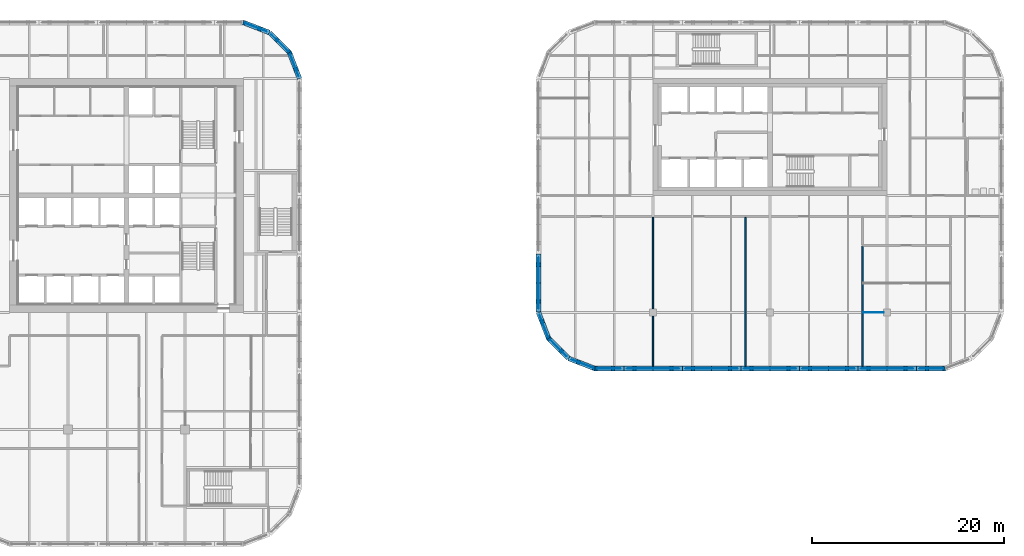
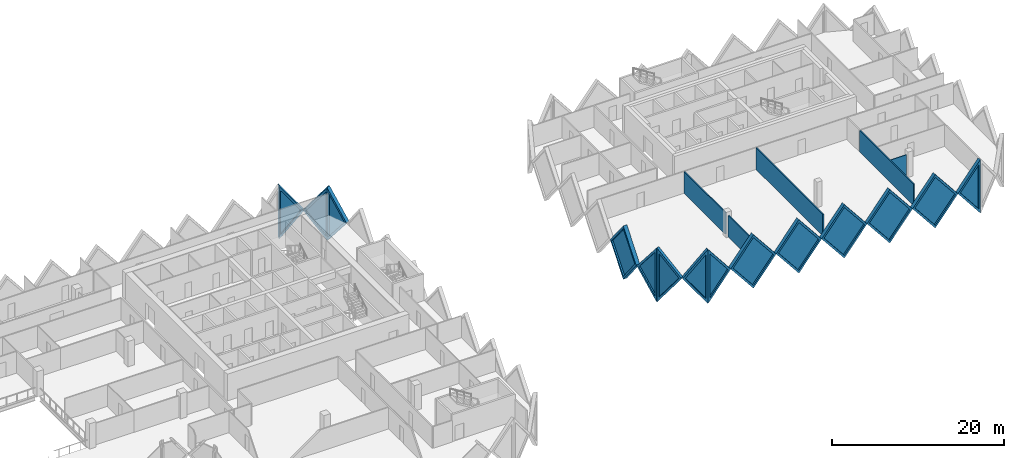
# One storey, part 11 of 19: 19 walls, 14 plates, 14 openings.
"""IFC4 building model written with IfcOpenShell, lengths in metres."""

import ifcopenshell
import ifcopenshell.guid

model = None  # the IFC model being written
_history = None  # IfcOwnerHistory: only IFC2X3 demands one
_inside = {}  # id of a spatial element -> (the spatial element, [elements in it])
_under = {}  # id of a project, library or spatial element -> (it, [spatial elements below it])
_declared = {}  # id of a project -> (the project, [libraries it declares])
_typed = {}  # id of a type object -> (the type object, [elements of that type])
_made_of = {}  # id of a material, layer set ... -> (it, [elements and type objects made of it])


def new_model(schema):
    """Start an empty IFC model of exactly this schema.

    Asked for "IFC4X3", IfcOpenShell would pick the latest addendum, in which some entities
    have other attributes; the version numbers below select the first issue.
    IFC2X3 requires an IfcOwnerHistory on every rooted entity: one is made here for all.
    """
    global model, _history
    if schema == "IFC4X3":
        model = ifcopenshell.file(schema_version=(4, 3, 0, 0))
    else:
        model = ifcopenshell.file(schema=schema)
    _inside.clear()
    _under.clear()
    _declared.clear()
    _typed.clear()
    _made_of.clear()
    _history = None
    if model.schema == "IFC2X3":
        org = make("IfcOrganization", Name="unknown")
        user = make(
            "IfcPersonAndOrganization",
            ThePerson=make("IfcPerson", FamilyName="unknown"),
            TheOrganization=org,
        )
        app = make(
            "IfcApplication",
            ApplicationDeveloper=org,
            Version="unknown",
            ApplicationFullName="unknown",
            ApplicationIdentifier="unknown",
        )
        _history = make(
            "IfcOwnerHistory",
            OwningUser=user,
            OwningApplication=app,
            ChangeAction="ADDED",
            CreationDate=0,
        )
    return model


def make(cls, **values):
    """One entity of the class cls with the attributes given. An attribute that is None is left unset."""
    return model.create_entity(
        cls, **{name: value for name, value in values.items() if value is not None}
    )


def rooted(cls, **values):
    """An entity with a GlobalId (a new one), such as an element, a storey or a relation."""
    return make(cls, GlobalId=ifcopenshell.guid.new(), OwnerHistory=_history, **values)


def si_unit(unit_type, name, prefix=None):
    """IfcSIUnit, for example si_unit("LENGTHUNIT", "METRE", prefix="MILLI")."""
    return make("IfcSIUnit", UnitType=unit_type, Prefix=prefix, Name=name)


def assignment(units):
    """IfcUnitAssignment: the units of a project."""
    return None if units is None else make("IfcUnitAssignment", Units=units)


def point(xyz):
    """IfcCartesianPoint."""
    return None if xyz is None else make("IfcCartesianPoint", Coordinates=xyz)


def direction(xyz):
    """IfcDirection."""
    return None if xyz is None else make("IfcDirection", DirectionRatios=xyz)


def frame(location, z_axis=None, x_axis=None):
    """IfcAxis2Placement3D, a coordinate frame: its origin and axes. An axis left out is left unset."""
    return make(
        "IfcAxis2Placement3D",
        Location=point(location),
        Axis=direction(z_axis),
        RefDirection=direction(x_axis),
    )


def frame_2d(location, x_axis=None):
    """IfcAxis2Placement2D, a coordinate frame in the plane: its origin and x axis."""
    return make(
        "IfcAxis2Placement2D", Location=point(location), RefDirection=direction(x_axis)
    )


def origin():
    """The frame at (0, 0, 0) with its axes left unset."""
    return frame((0.0, 0.0, 0.0))


def place(relative_to, where):
    """IfcLocalPlacement: puts the frame where relative to a parent placement (None: the world)."""
    return make(
        "IfcLocalPlacement", PlacementRelTo=relative_to, RelativePlacement=where
    )


def context(
    kind, dimensions, precision=None, world=None, true_north=None, identifier=None
):
    """IfcGeometricRepresentationContext, for example the 3D "Model" context."""
    return make(
        "IfcGeometricRepresentationContext",
        ContextIdentifier=identifier,
        ContextType=kind,
        CoordinateSpaceDimension=dimensions,
        Precision=precision,
        WorldCoordinateSystem=world,
        TrueNorth=true_north,
    )


def subcontext(parent, identifier, kind, view, scale=None):
    """IfcGeometricRepresentationSubContext, for example "Body" below "Model"."""
    return make(
        "IfcGeometricRepresentationSubContext",
        ContextIdentifier=identifier,
        ContextType=kind,
        ParentContext=parent,
        TargetScale=scale,
        TargetView=view,
    )


def project(units=None, contexts=None):
    """IfcProject with its units and contexts."""
    return rooted(
        "IfcProject",
        Name="project",
        RepresentationContexts=contexts,
        UnitsInContext=assignment(units),
    )


def spatial(cls, under=None, at=None, **own):
    """A site, building, storey or space (cls), placed at a placement, below another one or the project."""
    s = rooted(cls, ObjectPlacement=at, **own)
    if under is not None:
        _under.setdefault(under.id(), (under, []))[1].append(s)
    return s


def polyline(points):
    """IfcPolyline through the points."""
    return make("IfcPolyline", Points=[point(p) for p in points])


def profile(cls, at=None, kind="AREA", **sizes):
    """A parametric profile (cls). Its sizes go by their IFC names, for example OverallWidth=200.0."""
    return make(cls, ProfileType=kind, Position=at, **sizes)


def rectangle(**sizes):
    """IfcRectangleProfileDef."""
    return profile("IfcRectangleProfileDef", **sizes)


def outline(outer, holes=None, kind="AREA"):
    """IfcArbitraryClosedProfileDef: a profile drawn as a closed curve; with holes, ...WithVoids."""
    if holes is None:
        return make("IfcArbitraryClosedProfileDef", ProfileType=kind, OuterCurve=outer)
    return make(
        "IfcArbitraryProfileDefWithVoids",
        ProfileType=kind,
        OuterCurve=outer,
        InnerCurves=holes,
    )


def extrude(swept, where, along, depth):
    """IfcExtrudedAreaSolid: the profile swept, set in the frame where, extruded along a direction by depth."""
    return make(
        "IfcExtrudedAreaSolid",
        SweptArea=swept,
        Position=where,
        ExtrudedDirection=direction(along),
        Depth=depth,
    )


def faces_of(points, faces, orient=None, outer=None):
    """IfcFace entities. A face is a list of loops; a loop is a list of indices into points, from 0.

    orient and outer hold one flag for each loop. By default every Orientation is true, the
    first loop of a face is its IfcFaceOuterBound and the others are IfcFaceBound.
    """
    made = []
    for i, loops in enumerate(faces):
        bounds = []
        for j, loop in enumerate(loops):
            is_outer = j == 0 if outer is None else outer[i][j]
            bounds.append(
                make(
                    "IfcFaceOuterBound" if is_outer else "IfcFaceBound",
                    Bound=make("IfcPolyLoop", Polygon=[points[k] for k in loop]),
                    Orientation=True if orient is None else orient[i][j],
                )
            )
        made.append(make("IfcFace", Bounds=bounds))
    return made


def faceted_brep(points, faces, orient=None, outer=None, voids=None):
    """IfcFacetedBrep: a solid bounded by flat faces; with voids (closed shells), ...WithVoids."""
    shared = [point(p) for p in points]
    hull = make("IfcClosedShell", CfsFaces=faces_of(shared, faces, orient, outer))
    if voids is None:
        return make("IfcFacetedBrep", Outer=hull)
    return make(
        "IfcFacetedBrepWithVoids",
        Outer=hull,
        Voids=[
            make(cls, CfsFaces=faces_of(shared, fs, o, b)) for cls, fs, o, b in voids
        ],
    )


def shape(context_of_items, identifier, shape_type, items):
    """IfcShapeRepresentation: the items that make up one representation, for example the "Body"."""
    return make(
        "IfcShapeRepresentation",
        ContextOfItems=context_of_items,
        RepresentationIdentifier=identifier,
        RepresentationType=shape_type,
        Items=items,
    )


def source(mapping_origin, context_of_items, identifier, shape_type, items):
    """IfcRepresentationMap: a shape defined once, which mapped items show again and again."""
    return make(
        "IfcRepresentationMap",
        MappingOrigin=mapping_origin,
        MappedRepresentation=shape(context_of_items, identifier, shape_type, items),
    )


def transform(
    local_origin,
    x_axis=None,
    y_axis=None,
    z_axis=None,
    scale=None,
    scale2=None,
    scale3=None,
    uniform=True,
):
    """IfcCartesianTransformationOperator3D, or its non-uniform kind. x_axis, y_axis, z_axis: its Axis1, 2, 3."""
    if uniform:
        return make(
            "IfcCartesianTransformationOperator3D",
            Axis1=direction(x_axis),
            Axis2=direction(y_axis),
            LocalOrigin=point(local_origin),
            Scale=scale,
            Axis3=direction(z_axis),
        )
    return make(
        "IfcCartesianTransformationOperator3DnonUniform",
        Axis1=direction(x_axis),
        Axis2=direction(y_axis),
        LocalOrigin=point(local_origin),
        Scale=scale,
        Axis3=direction(z_axis),
        Scale2=scale2,
        Scale3=scale3,
    )


def mapped(mapping_source, mapping_target):
    """IfcMappedItem: shows the shape of a source again, moved by a transform."""
    return make(
        "IfcMappedItem", MappingSource=mapping_source, MappingTarget=mapping_target
    )


def material(Name=None, Category=None):
    """IfcMaterial."""
    return make("IfcMaterial", Name=Name, Category=Category)


def layer(
    of_material, thickness, ventilated=None, Name=None, Category=None, Priority=None
):
    """IfcMaterialLayer: one layer of a wall or slab, of a material (None: an air gap)."""
    return make(
        "IfcMaterialLayer",
        Material=of_material,
        LayerThickness=thickness,
        IsVentilated=ventilated,
        Name=Name,
        Category=Category,
        Priority=Priority,
    )


def layer_set(layers, Name=None):
    """IfcMaterialLayerSet."""
    return make("IfcMaterialLayerSet", MaterialLayers=layers, LayerSetName=Name)


def made_of(thing, what):
    """Note that an element or type object is made of a material, layer set ...; save() writes the relation."""
    if what is not None:
        _made_of.setdefault(what.id(), (what, []))[1].append(thing)
    return thing


def type_object(cls, material=None, **own):
    """A type object (cls), such as IfcWallType, which elements share."""
    return made_of(rooted(cls, **own), material)


def element(
    cls,
    number,
    at=None,
    inside=None,
    cuts=None,
    type_object=None,
    material=None,
    context=None,
    identifier="Body",
    shape_type=None,
    held_by="IfcProductDefinitionShape",
    body=None,
    shapes=None,
    **own,
):
    """One element of the class cls, such as IfcWall. Its Tag is "e" and its number.

    at: its placement. inside: the storey or other place that contains it. cuts: it is an
    opening in that element (IfcRelVoidsElement). A single representation is given by context,
    identifier, shape_type and body (its items); several are given by shapes. held_by: the class
    of the entity that holds the representations. save() writes the other relations.
    """
    e = rooted(cls, Tag="e%d" % number, ObjectPlacement=at, **own)
    if body is not None:
        shapes = [shape(context, identifier, shape_type, body)]
    if shapes is not None:
        e.Representation = make(held_by, Representations=shapes)
    if inside is not None:
        _inside.setdefault(inside.id(), (inside, []))[1].append(e)
    if cuts is not None:
        rooted(
            "IfcRelVoidsElement", RelatingBuildingElement=cuts, RelatedOpeningElement=e
        )
    if type_object is not None:
        _typed.setdefault(type_object.id(), (type_object, []))[1].append(e)
    return made_of(e, material)


def fill(opening, filler):
    """IfcRelFillsElement: the door or window that sits in an opening."""
    return rooted(
        "IfcRelFillsElement",
        RelatingOpeningElement=opening,
        RelatedBuildingElement=filler,
    )


def aggregate(whole, parts):
    """IfcRelAggregates: a whole, such as a stair, and the parts it consists of."""
    return rooted("IfcRelAggregates", RelatingObject=whole, RelatedObjects=parts)


def save(model, path):
    """Write the relations noted so far, then the file.

    IfcRelAggregates (storeys below a building ...), IfcRelContainedInSpatialStructure (elements
    in a storey), IfcRelDefinesByType, IfcRelAssociatesMaterial and IfcRelDeclares: one each for
    every whole, place, type object, material and project.
    """
    for whole, parts in _under.values():
        aggregate(whole, parts)
    for where, things in _inside.values():
        rooted(
            "IfcRelContainedInSpatialStructure",
            RelatedElements=things,
            RelatingStructure=where,
        )
    for kind, things in _typed.values():
        rooted("IfcRelDefinesByType", RelatedObjects=things, RelatingType=kind)
    for what, things in _made_of.values():
        rooted("IfcRelAssociatesMaterial", RelatedObjects=things, RelatingMaterial=what)
    for by, libraries in _declared.values():
        rooted("IfcRelDeclares", RelatingContext=by, RelatedDefinitions=libraries)
    model.write(path)


model = new_model("IFC4")

# Units and contexts
model_context = context("Model", 3, precision=1e-05, world=origin(), true_north=direction((0.0, 1.0)))
body_context = subcontext(model_context, "Body", "Model", "MODEL_VIEW")
ifc_project = project(units=[si_unit("LENGTHUNIT", "METRE"), si_unit("AREAUNIT", "SQUARE_METRE"), si_unit("VOLUMEUNIT", "CUBIC_METRE"), si_unit("PLANEANGLEUNIT", "RADIAN"), si_unit("MASSUNIT", "GRAM", prefix="KILO")], contexts=[model_context])

# Site, building, storey
site_placement = place(None, origin())
site = spatial("IfcSite", under=ifc_project, at=site_placement, CompositionType="ELEMENT")
building_placement = place(site_placement, origin())
building = spatial("IfcBuilding", under=site, at=building_placement, Name="Tessera Gate Towers", CompositionType="ELEMENT")
storey_placement = place(building_placement, frame((0.0, 0.0, 83.800048828125)))
storey = spatial("IfcBuildingStorey", under=building, at=storey_placement, Name="L20", CompositionType="ELEMENT", Elevation=83.800048828125)

# Walls
ifc_material_1 = material(Name="Gypsum board on steel studs", Category="steel")
ifc_layer_1 = layer(ifc_material_1, 0.10009765625)
ifc_layer_set_1 = layer_set([ifc_layer_1], Name="PARTITION 100")
wall_type_1 = type_object("IfcWallType", Name="PARTITION 100", PredefinedType="PARTITIONING", material=ifc_layer_set_1)
wall_1_placement = place(storey_placement, frame((121.64990234375, 24.39990234375, 0.0), z_axis=(0.0, 0.0, 1.0), x_axis=(-1.0, 0.0, 0.0)))
element("IfcWall", 1, at=wall_1_placement, inside=storey, type_object=wall_type_1, Name="T2-L20-PW-005", PredefinedType="PARTITIONING", context=body_context, shape_type="SweptSolid", body=[
    extrude(rectangle(XDim=2.125, YDim=0.10009765625, at=frame_2d((1.0625, 0.0))), origin(), (0.0, 0.0, 1.0), 3.06689453125),
])
ifc_material_2 = material(Name="Gypsum board on steel studs, mineral wool", Category="steel")
ifc_layer_2 = layer(ifc_material_2, 0.14990234375)
ifc_layer_set_2 = layer_set([ifc_layer_2], Name="TENANCY WALL 150")
wall_type_2 = type_object("IfcWallType", Name="TENANCY WALL 150", PredefinedType="PARTITIONING", material=ifc_layer_set_2)
wall_2_placement = place(storey_placement, frame((97.60009765625, 18.800048828125, 0.0), z_axis=(0.0, 0.0, 1.0), x_axis=(0.0, 1.0, 0.0)))
element("IfcWall", 2, at=wall_2_placement, inside=storey, type_object=wall_type_2, Name="T2-L20-PW-001", PredefinedType="PARTITIONING", context=body_context, shape_type="SweptSolid", body=[
    extrude(rectangle(XDim=5.2490234375, YDim=0.14990234375, at=frame_2d((2.62451171875, 0.0))), origin(), (0.0, 0.0, 1.0), 3.06689453125),
])
wall_3_placement = place(storey_placement, frame((107.25, 18.800048828125, 0.0), z_axis=(0.0, 0.0, 1.0), x_axis=(0.0, 1.0, 0.0)))
element("IfcWall", 3, at=wall_3_placement, inside=storey, type_object=wall_type_2, Name="T2-L20-PW-002", PredefinedType="PARTITIONING", context=body_context, shape_type="SweptSolid", body=[
    extrude(rectangle(XDim=15.52392578125, YDim=0.14990234375, at=frame_2d((7.761962890625, 0.0))), origin(), (0.0, 0.0, 1.0), 3.06689453125),
])
wall_4_placement = place(storey_placement, frame((119.449951171875, 18.800048828125, 0.0), z_axis=(0.0, 0.0, 1.0), x_axis=(0.0, 1.0, 0.0)))
element("IfcWall", 4, at=wall_4_placement, inside=storey, type_object=wall_type_2, Name="T2-L20-PW-003", PredefinedType="PARTITIONING", context=body_context, shape_type="SweptSolid", body=[
    extrude(rectangle(XDim=12.52392578125, YDim=0.14990234375, at=frame_2d((6.261962890625, 0.0))), origin(), (0.0, 0.0, 1.0), 3.06689453125),
])
wall_5_placement = place(storey_placement, frame((97.60009765625, 24.7509765625, 0.0), z_axis=(0.0, 0.0, 1.0), x_axis=(0.0, 1.0, 0.0)))
element("IfcWall", 5, at=wall_5_placement, inside=storey, type_object=wall_type_2, Name="T2-L20-PW-006", PredefinedType="PARTITIONING", context=body_context, shape_type="SweptSolid", body=[
    extrude(rectangle(XDim=9.572998046875, YDim=0.14990234375, at=frame_2d((4.78662109375, 0.0))), origin(), (0.0, 0.0, 1.0), 3.06689453125),
])

# Wall, opening, plate
ifc_material_3 = material(Name="Precast concrete C60/75 white", Category="concrete")
ifc_layer_3 = layer(ifc_material_3, 0.5)
ifc_layer_set_3 = layer_set([ifc_layer_3], Name="TS1 tessera")
wall_type_3 = type_object("IfcWallType", Name="TS1 tessera", PredefinedType="SOLIDWALL", material=ifc_layer_set_3)
shared_shape_1 = source(origin(), body_context, "Body", "Brep", [
    faceted_brep([(3.050048828125, -0.25, 0.0), (6.099853515625, -0.25, 3.7998046875), (6.099853515625, -0.25, 3.80029296875), (3.050048828125, -0.25, 7.60009765625), (0.0, -0.25, 3.800048828125), (0.0, 0.25, 3.800048828125), (3.050048828125, 0.25, 7.60009765625), (6.099853515625, 0.25, 3.80029296875), (6.099853515625, 0.25, 3.7998046875), (3.050048828125, 0.25, 0.0)], [[[0, 1, 2, 3, 4]], [[5, 6, 7, 8, 9]], [[9, 8, 1, 0]], [[7, 6, 3, 2]], [[6, 5, 4, 3]], [[5, 9, 0, 4]], [[1, 8, 7, 2]]]),
])
wall_6_placement = place(storey_placement, frame((94.550048828125, 18.550048828125, -3.800048828125), z_axis=(0.0, 0.0, 1.0), x_axis=(1.0, 0.0, 0.0)))
wall_6 = element("IfcWall", 6, at=wall_6_placement, inside=storey, type_object=wall_type_3, Name="Precast tessera T2 TS1-0234", PredefinedType="SOLIDWALL", context=body_context, shape_type="MappedRepresentation", body=[
    mapped(shared_shape_1, transform((0.0, 0.0, 0.0), scale=1.0)),
])
shared_shape_2 = source(origin(), body_context, "Body", "SweptSolid", [
    extrude(outline(polyline([(3.050048828125, 0.3994140625), (5.779541015625, 3.800048828125), (3.050048828125, 7.20068359375), (0.320556640625, 3.800048828125), (3.050048828125, 0.3994140625)])), frame((0.0, 0.260009765625, 0.0), z_axis=(0.0, -1.0, 0.0), x_axis=(1.0, 0.0, 0.0)), (0.0, 0.0, 1.0), 0.52001953125),
])
opening_1_placement = place(wall_6_placement, origin())
opening_1 = element("IfcOpeningElement", 7, at=opening_1_placement, cuts=wall_6, Name="Opening T2-PL2-0444", PredefinedType="OPENING", context=body_context, shape_type="MappedRepresentation", body=[
    mapped(shared_shape_2, transform((0.0, 0.0, 0.0), scale=1.0)),
])
ifc_material_4 = material(Name="Low-e laminated glass", Category="glass")
ifc_layer_4 = layer(ifc_material_4, 0.06005859375)
ifc_layer_set_4 = layer_set([ifc_layer_4], Name="PL2 rhombic pane")
plate_type = type_object("IfcPlateType", Name="PL2 rhombic pane", PredefinedType="SHEET", material=ifc_layer_set_4)
shared_shape_3 = source(origin(), body_context, "Body", "SweptSolid", [
    extrude(outline(polyline([(3.050048828125, 0.3994140625), (5.779541015625, 3.800048828125), (3.050048828125, 7.20068359375), (0.320556640625, 3.800048828125), (3.050048828125, 0.3994140625)])), frame((0.0, 0.030029296875, 0.0), z_axis=(0.0, -1.0, 0.0), x_axis=(1.0, 0.0, 0.0)), (0.0, 0.0, 1.0), 0.06005859375),
])
plate_1_placement = place(opening_1_placement, origin())
plate_1 = element("IfcPlate", 8, at=plate_1_placement, inside=storey, type_object=plate_type, Name="Glass pane T2 PL2-0444", PredefinedType="SHEET", context=body_context, shape_type="MappedRepresentation", body=[
    mapped(shared_shape_3, transform((0.0, 0.0, 0.0), scale=1.0)),
])
fill(opening_1, plate_1)

wall_7_placement = place(storey_placement, frame((112.85009765625, 18.550048828125, -3.800048828125), z_axis=(0.0, 0.0, 1.0), x_axis=(1.0, 0.0, 0.0)))
wall_7 = element("IfcWall", 9, at=wall_7_placement, inside=storey, type_object=wall_type_3, Name="Precast tessera T2 TS1-0237", PredefinedType="SOLIDWALL", context=body_context, shape_type="MappedRepresentation", body=[
    mapped(shared_shape_1, transform((0.0, 0.0, 0.0), scale=1.0)),
])
opening_2_placement = place(wall_7_placement, origin())
opening_2 = element("IfcOpeningElement", 10, at=opening_2_placement, cuts=wall_7, Name="Opening T2-PL2-0447", PredefinedType="OPENING", context=body_context, shape_type="MappedRepresentation", body=[
    mapped(shared_shape_2, transform((0.0, 0.0, 0.0), scale=1.0)),
])
plate_2_placement = place(opening_2_placement, origin())
plate_2 = element("IfcPlate", 11, at=plate_2_placement, inside=storey, type_object=plate_type, Name="Glass pane T2 PL2-0447", PredefinedType="SHEET", context=body_context, shape_type="MappedRepresentation", body=[
    mapped(shared_shape_3, transform((0.0, 0.0, 0.0), scale=1.0)),
])
fill(opening_2, plate_2)

shared_shape_4 = source(origin(), body_context, "Body", "SweptSolid", [
    extrude(outline(polyline([(3.050048828125, 0.0), (6.10009765625, 3.800048828125), (3.050048828125, 7.60009765625), (0.0, 3.800048828125), (3.050048828125, 0.0)])), frame((0.0, 0.25, 0.0), z_axis=(0.0, -1.0, 0.0), x_axis=(1.0, 0.0, 0.0)), (0.0, 0.0, 1.0), 0.5),
])
wall_8_placement = place(storey_placement, frame((100.64990234375, 18.550048828125, -3.800048828125), z_axis=(0.0, 0.0, 1.0), x_axis=(1.0, 0.0, 0.0)))
wall_8 = element("IfcWall", 12, at=wall_8_placement, inside=storey, type_object=wall_type_3, Name="Precast tessera T2 TS1-0235", PredefinedType="SOLIDWALL", context=body_context, shape_type="MappedRepresentation", body=[
    mapped(shared_shape_4, transform((0.0, 0.0, 0.0), scale=1.0)),
])
opening_3_placement = place(wall_8_placement, origin())
opening_3 = element("IfcOpeningElement", 13, at=opening_3_placement, cuts=wall_8, Name="Opening T2-PL2-0445", PredefinedType="OPENING", context=body_context, shape_type="MappedRepresentation", body=[
    mapped(shared_shape_2, transform((0.0, 0.0, 0.0), scale=1.0)),
])
plate_3_placement = place(opening_3_placement, origin())
plate_3 = element("IfcPlate", 14, at=plate_3_placement, inside=storey, type_object=plate_type, Name="Glass pane T2 PL2-0445", PredefinedType="SHEET", context=body_context, shape_type="MappedRepresentation", body=[
    mapped(shared_shape_3, transform((0.0, 0.0, 0.0), scale=1.0)),
])
fill(opening_3, plate_3)

wall_9_placement = place(storey_placement, frame((106.75, 18.550048828125, -3.800048828125), z_axis=(0.0, 0.0, 1.0), x_axis=(1.0, 0.0, 0.0)))
wall_9 = element("IfcWall", 15, at=wall_9_placement, inside=storey, type_object=wall_type_3, Name="Precast tessera T2 TS1-0236", PredefinedType="SOLIDWALL", context=body_context, shape_type="MappedRepresentation", body=[
    mapped(shared_shape_4, transform((0.0, 0.0, 0.0), scale=1.0)),
])
opening_4_placement = place(wall_9_placement, origin())
opening_4 = element("IfcOpeningElement", 16, at=opening_4_placement, cuts=wall_9, Name="Opening T2-PL2-0446", PredefinedType="OPENING", context=body_context, shape_type="MappedRepresentation", body=[
    mapped(shared_shape_2, transform((0.0, 0.0, 0.0), scale=1.0)),
])
plate_4_placement = place(opening_4_placement, origin())
plate_4 = element("IfcPlate", 17, at=plate_4_placement, inside=storey, type_object=plate_type, Name="Glass pane T2 PL2-0446", PredefinedType="SHEET", context=body_context, shape_type="MappedRepresentation", body=[
    mapped(shared_shape_3, transform((0.0, 0.0, 0.0), scale=1.0)),
])
fill(opening_4, plate_4)

wall_10_placement = place(storey_placement, frame((118.949951171875, 18.550048828125, -3.800048828125), z_axis=(0.0, 0.0, 1.0), x_axis=(1.0, 0.0, 0.0)))
wall_10 = element("IfcWall", 18, at=wall_10_placement, inside=storey, type_object=wall_type_3, Name="Precast tessera T2 TS1-0238", PredefinedType="SOLIDWALL", context=body_context, shape_type="MappedRepresentation", body=[
    mapped(shared_shape_4, transform((0.0, 0.0, 0.0), scale=1.0)),
])
opening_5_placement = place(wall_10_placement, origin())
opening_5 = element("IfcOpeningElement", 19, at=opening_5_placement, cuts=wall_10, Name="Opening T2-PL2-0448", PredefinedType="OPENING", context=body_context, shape_type="MappedRepresentation", body=[
    mapped(shared_shape_2, transform((0.0, 0.0, 0.0), scale=1.0)),
])
plate_5_placement = place(opening_5_placement, origin())
plate_5 = element("IfcPlate", 20, at=plate_5_placement, inside=storey, type_object=plate_type, Name="Glass pane T2 PL2-0448", PredefinedType="SHEET", context=body_context, shape_type="MappedRepresentation", body=[
    mapped(shared_shape_3, transform((0.0, 0.0, 0.0), scale=1.0)),
])
fill(opening_5, plate_5)

shared_shape_5 = source(origin(), body_context, "Body", "Brep", [
    faceted_brep([(3.050048828125, -0.25, 0.0), (6.053466796875, -0.25, 3.800048828125), (3.050048828125, -0.25, 7.60009765625), (0.0, -0.25, 3.800048828125), (0.0, 0.25, 3.800048828125), (3.050048828125, 0.25, 7.60009765625), (6.0068359375, 0.25, 3.85888671875), (6.0068359375, 0.25, 3.7412109375), (3.050048828125, 0.25, 0.0), (6.053466796875, 0.0, 3.800048828125)], [[[0, 1, 2, 3]], [[4, 5, 6, 7, 8]], [[8, 7, 9, 1, 0]], [[6, 5, 2, 1, 9]], [[5, 4, 3, 2]], [[4, 8, 0, 3]], [[9, 7, 6]]]),
])
wall_11_placement = place(storey_placement, frame((85.64990234375, 30.5, -3.800048828125), z_axis=(0.0, 0.0, 1.0), x_axis=(0.0, -1.0, 0.0)))
wall_11 = element("IfcWall", 21, at=wall_11_placement, inside=storey, type_object=wall_type_3, Name="Precast tessera T2 TS1-0251", PredefinedType="SOLIDWALL", context=body_context, shape_type="MappedRepresentation", body=[
    mapped(shared_shape_5, transform((0.0, 0.0, 0.0), scale=1.0)),
])
shared_shape_6 = source(origin(), body_context, "Body", "SweptSolid", [
    extrude(outline(polyline([(3.048583984375, 0.4013671875), (5.73486328125, 3.800048828125), (3.048583984375, 7.19873046875), (0.320556640625, 3.800048828125), (3.048583984375, 0.4013671875)])), frame((0.0, 0.260009765625, 0.0), z_axis=(0.0, -1.0, 0.0), x_axis=(1.0, 0.0, 0.0)), (0.0, 0.0, 1.0), 0.52001953125),
])
opening_6_placement = place(wall_11_placement, origin())
opening_6 = element("IfcOpeningElement", 22, at=opening_6_placement, cuts=wall_11, Name="Opening T2-PL2-0473", PredefinedType="OPENING", context=body_context, shape_type="MappedRepresentation", body=[
    mapped(shared_shape_6, transform((0.0, 0.0, 0.0), scale=1.0)),
])
shared_shape_7 = source(origin(), body_context, "Body", "SweptSolid", [
    extrude(outline(polyline([(3.048583984375, 0.4013671875), (5.73486328125, 3.800048828125), (3.048583984375, 7.19873046875), (0.320556640625, 3.800048828125), (3.048583984375, 0.4013671875)])), frame((0.0, 0.030029296875, 0.0), z_axis=(0.0, -1.0, 0.0), x_axis=(1.0, 0.0, 0.0)), (0.0, 0.0, 1.0), 0.06005859375),
])
plate_6_placement = place(opening_6_placement, origin())
plate_6 = element("IfcPlate", 23, at=plate_6_placement, inside=storey, type_object=plate_type, Name="Glass pane T2 PL2-0473", PredefinedType="SHEET", context=body_context, shape_type="MappedRepresentation", body=[
    mapped(shared_shape_7, transform((0.0, 0.0, 0.0), scale=1.0)),
])
fill(opening_6, plate_6)

ifc_material_5 = material(Name="Precast concrete C60/75 white", Category="concrete")
ifc_layer_5 = layer(ifc_material_5, 0.5)
ifc_layer_set_5 = layer_set([ifc_layer_5], Name="TS3 corner tessera")
wall_type_4 = type_object("IfcWallType", Name="TS3 corner tessera", PredefinedType="SOLIDWALL", material=ifc_layer_set_5)
shared_shape_8 = source(origin(), body_context, "Body", "Brep", [
    faceted_brep([(2.950439453125, -0.25, 0.0), (2.9970703125, -0.25, 0.05908203125), (2.9970703125, -0.25, 7.541015625), (2.950439453125, -0.25, 7.60009765625), (0.0, -0.25, 3.800048828125), (0.052978515625, 0.25, 3.8681640625), (2.904052734375, 0.25, 7.540283203125), (2.904052734375, 0.25, 0.059814453125), (0.052978515625, 0.25, 3.73193359375), (2.950439453125, 0.00048828125, 0.0), (2.950439453125, 0.00048828125, 7.60009765625), (0.0, 0.0, 3.800048828125)], [[[0, 1, 2, 3, 4]], [[5, 6, 7, 8]], [[1, 0, 9]], [[10, 3, 2]], [[6, 5, 11, 4, 3, 10]], [[8, 7, 9, 0, 4, 11]], [[8, 11, 5]], [[1, 9, 7, 6, 10, 2]]]),
])
wall_12_placement = place(storey_placement, frame((57.606201171875, 53.588134765625, -3.800048828125), z_axis=(0.0, 0.0, 1.0), x_axis=(-0.932990326376, 0.359901446078, 0.0)))
wall_12 = element("IfcWall", 24, at=wall_12_placement, inside=storey, type_object=wall_type_4, Name="Precast corner tessera T1 TS3-0441", PredefinedType="SOLIDWALL", context=body_context, shape_type="MappedRepresentation", body=[
    mapped(shared_shape_8, transform((0.0, 0.0, 0.0), scale=1.0)),
])
shared_shape_9 = source(origin(), body_context, "Body", "SweptSolid", [
    extrude(outline(polyline([(2.75048828125, 6.934814453125), (0.31640625, 3.800048828125), (2.75048828125, 0.665283203125), (2.75048828125, 6.934814453125)])), frame((0.0, 0.260009765625, 0.0), z_axis=(0.0, -1.0, 0.0), x_axis=(1.0, 0.0, 0.0)), (0.0, 0.0, 1.0), 0.52001953125),
])
opening_7_placement = place(wall_12_placement, origin())
opening_7 = element("IfcOpeningElement", 25, at=opening_7_placement, cuts=wall_12, Name="Opening T1-PL2-0629", PredefinedType="OPENING", context=body_context, shape_type="MappedRepresentation", body=[
    mapped(shared_shape_9, transform((0.0, 0.0, 0.0), scale=1.0)),
])
shared_shape_10 = source(origin(), body_context, "Body", "SweptSolid", [
    extrude(outline(polyline([(2.75048828125, 6.934814453125), (0.31640625, 3.800048828125), (2.75048828125, 0.665283203125), (2.75048828125, 6.934814453125)])), frame((0.0, 0.030029296875, 0.0), z_axis=(0.0, -1.0, 0.0), x_axis=(1.0, 0.0, 0.0)), (0.0, 0.0, 1.0), 0.06005859375),
])
plate_7_placement = place(opening_7_placement, origin())
plate_7 = element("IfcPlate", 26, at=plate_7_placement, inside=storey, type_object=plate_type, Name="Glass pane T1 PL2-0629", PredefinedType="SHEET", context=body_context, shape_type="MappedRepresentation", body=[
    mapped(shared_shape_10, transform((0.0, 0.0, 0.0), scale=1.0)),
])
fill(opening_7, plate_7)

shared_shape_11 = source(origin(), body_context, "Body", "Brep", [
    faceted_brep([(0.046630859375, -0.25, 0.0), (3.050048828125, -0.25, 3.800048828125), (0.046630859375, -0.25, 7.60009765625), (0.0, -0.25, 7.5400390625), (0.0, -0.25, 0.06005859375), (0.09326171875, 0.25, 7.541259765625), (3.050048828125, 0.25, 3.800048828125), (0.09326171875, 0.25, 0.058837890625), (0.046630859375, 0.0, 0.0), (0.046630859375, 0.0, 7.60009765625)], [[[0, 1, 2, 3, 4]], [[5, 6, 7]], [[7, 6, 1, 0, 8]], [[6, 5, 9, 2, 1]], [[3, 2, 9]], [[8, 0, 4]], [[7, 8, 4, 3, 9, 5]]]),
])
wall_13_placement = place(storey_placement, frame((91.5, 18.550048828125, -3.800048828125), z_axis=(0.0, 0.0, 1.0), x_axis=(1.0, 0.0, 0.0)))
wall_13 = element("IfcWall", 27, at=wall_13_placement, inside=storey, type_object=wall_type_4, Name="Precast corner tessera T2 TS3-0289", PredefinedType="SOLIDWALL", context=body_context, shape_type="MappedRepresentation", body=[
    mapped(shared_shape_11, transform((0.0, 0.0, 0.0), scale=1.0)),
])
shared_shape_12 = source(origin(), body_context, "Body", "SweptSolid", [
    extrude(outline(polyline([(0.24658203125, 0.65625), (2.7314453125, 3.800048828125), (0.24658203125, 6.94384765625), (0.24658203125, 0.65625)])), frame((0.0, 0.260009765625, 0.0), z_axis=(0.0, -1.0, 0.0), x_axis=(1.0, 0.0, 0.0)), (0.0, 0.0, 1.0), 0.52001953125),
])
opening_8_placement = place(wall_13_placement, origin())
opening_8 = element("IfcOpeningElement", 28, at=opening_8_placement, cuts=wall_13, Name="Opening T2-PL2-0442", PredefinedType="OPENING", context=body_context, shape_type="MappedRepresentation", body=[
    mapped(shared_shape_12, transform((0.0, 0.0, 0.0), scale=1.0)),
])
shared_shape_13 = source(origin(), body_context, "Body", "SweptSolid", [
    extrude(outline(polyline([(0.24658203125, 0.65625), (2.7314453125, 3.800048828125), (0.24658203125, 6.94384765625), (0.24658203125, 0.65625)])), frame((0.0, 0.030029296875, 0.0), z_axis=(0.0, -1.0, 0.0), x_axis=(1.0, 0.0, 0.0)), (0.0, 0.0, 1.0), 0.06005859375),
])
plate_8_placement = place(opening_8_placement, origin())
plate_8 = element("IfcPlate", 29, at=plate_8_placement, inside=storey, type_object=plate_type, Name="Glass pane T2 PL2-0442", PredefinedType="SHEET", context=body_context, shape_type="MappedRepresentation", body=[
    mapped(shared_shape_13, transform((0.0, 0.0, 0.0), scale=1.0)),
])
fill(opening_8, plate_8)

shared_shape_14 = source(origin(), body_context, "Body", "Brep", [
    faceted_brep([(3.00341796875, -0.25, 0.0), (3.050048828125, -0.25, 0.06005859375), (3.050048828125, -0.25, 7.5400390625), (3.00341796875, -0.25, 7.60009765625), (0.0, -0.25, 3.800048828125), (0.0, 0.25, 3.800048828125), (2.956787109375, 0.25, 7.541259765625), (2.956787109375, 0.25, 0.058837890625), (3.00341796875, 0.000244140625, 0.0), (3.00341796875, 0.000244140625, 7.60009765625)], [[[0, 1, 2, 3, 4]], [[5, 6, 7]], [[1, 0, 8]], [[9, 3, 2]], [[6, 5, 4, 3, 9]], [[5, 7, 8, 0, 4]], [[1, 8, 7, 6, 9, 2]]]),
])
wall_14_placement = place(storey_placement, frame((125.050048828125, 18.550048828125, -3.800048828125), z_axis=(0.0, 0.0, 1.0), x_axis=(1.0, 0.0, 0.0)))
wall_14 = element("IfcWall", 30, at=wall_14_placement, inside=storey, type_object=wall_type_4, Name="Precast corner tessera T2 TS3-0291", PredefinedType="SOLIDWALL", context=body_context, shape_type="MappedRepresentation", body=[
    mapped(shared_shape_14, transform((0.0, 0.0, 0.0), scale=1.0)),
])
shared_shape_15 = source(origin(), body_context, "Body", "SweptSolid", [
    extrude(outline(polyline([(2.803466796875, 6.94384765625), (0.318603515625, 3.800048828125), (2.803466796875, 0.65625), (2.803466796875, 6.94384765625)])), frame((0.0, 0.260009765625, 0.0), z_axis=(0.0, -1.0, 0.0), x_axis=(1.0, 0.0, 0.0)), (0.0, 0.0, 1.0), 0.52001953125),
])
opening_9_placement = place(wall_14_placement, origin())
opening_9 = element("IfcOpeningElement", 31, at=opening_9_placement, cuts=wall_14, Name="Opening T2-PL2-0449", PredefinedType="OPENING", context=body_context, shape_type="MappedRepresentation", body=[
    mapped(shared_shape_15, transform((0.0, 0.0, 0.0), scale=1.0)),
])
shared_shape_16 = source(origin(), body_context, "Body", "SweptSolid", [
    extrude(outline(polyline([(2.803466796875, 6.94384765625), (0.318603515625, 3.800048828125), (2.803466796875, 0.65625), (2.803466796875, 6.94384765625)])), frame((0.0, 0.030029296875, 0.0), z_axis=(0.0, -1.0, 0.0), x_axis=(1.0, 0.0, 0.0)), (0.0, 0.0, 1.0), 0.06005859375),
])
plate_9_placement = place(opening_9_placement, origin())
plate_9 = element("IfcPlate", 32, at=plate_9_placement, inside=storey, type_object=plate_type, Name="Glass pane T2 PL2-0449", PredefinedType="SHEET", context=body_context, shape_type="MappedRepresentation", body=[
    mapped(shared_shape_16, transform((0.0, 0.0, 0.0), scale=1.0)),
])
fill(opening_9, plate_9)

shared_shape_17 = source(origin(), body_context, "Body", "Brep", [
    faceted_brep([(0.052978515625, -0.25, 0.0), (2.9970703125, -0.25, 3.800048828125), (0.052978515625, -0.25, 7.60009765625), (0.0, -0.25, 7.531982421875), (0.0, -0.25, 0.068115234375), (0.10595703125, 0.25, 7.53173828125), (2.944091796875, 0.25, 3.8681640625), (2.944091796875, 0.25, 3.73193359375), (0.10595703125, 0.25, 0.068359375), (2.9970703125, 0.000244140625, 3.800048828125), (0.052978515625, 0.0, 0.0), (0.052978515625, 0.0, 7.60009765625)], [[[0, 1, 2, 3, 4]], [[5, 6, 7, 8]], [[8, 7, 9, 1, 0, 10]], [[6, 5, 11, 2, 1, 9]], [[3, 2, 11]], [[10, 0, 4]], [[8, 10, 4, 3, 11, 5]], [[9, 7, 6]]]),
])
wall_15_placement = place(storey_placement, frame((86.674560546875, 21.731201171875, -3.800048828125), z_axis=(0.0, 0.0, 1.0), x_axis=(0.707106781187, -0.707106781187, 0.0)))
wall_15 = element("IfcWall", 33, at=wall_15_placement, inside=storey, type_object=wall_type_4, Name="Precast corner tessera T2 TS3-0304", PredefinedType="SOLIDWALL", context=body_context, shape_type="MappedRepresentation", body=[
    mapped(shared_shape_17, transform((0.0, 0.0, 0.0), scale=1.0)),
])
shared_shape_18 = source(origin(), body_context, "Body", "SweptSolid", [
    extrude(outline(polyline([(0.2529296875, 0.666259765625), (2.680908203125, 3.800048828125), (0.2529296875, 6.93359375), (0.2529296875, 0.666259765625)])), frame((0.0, 0.260009765625, 0.0), z_axis=(0.0, -1.0, 0.0), x_axis=(1.0, 0.0, 0.0)), (0.0, 0.0, 1.0), 0.52001953125),
])
opening_10_placement = place(wall_15_placement, origin())
opening_10 = element("IfcOpeningElement", 34, at=opening_10_placement, cuts=wall_15, Name="Opening T2-PL2-0475", PredefinedType="OPENING", context=body_context, shape_type="MappedRepresentation", body=[
    mapped(shared_shape_18, transform((0.0, 0.0, 0.0), scale=1.0)),
])
shared_shape_19 = source(origin(), body_context, "Body", "SweptSolid", [
    extrude(outline(polyline([(0.2529296875, 0.666259765625), (2.680908203125, 3.800048828125), (0.2529296875, 6.93359375), (0.2529296875, 0.666259765625)])), frame((0.0, 0.030029296875, 0.0), z_axis=(0.0, -1.0, 0.0), x_axis=(1.0, 0.0, 0.0)), (0.0, 0.0, 1.0), 0.06005859375),
])
plate_10_placement = place(opening_10_placement, origin())
plate_10 = element("IfcPlate", 35, at=plate_10_placement, inside=storey, type_object=plate_type, Name="Glass pane T2 PL2-0475", PredefinedType="SHEET", context=body_context, shape_type="MappedRepresentation", body=[
    mapped(shared_shape_19, transform((0.0, 0.0, 0.0), scale=1.0)),
])
fill(opening_10, plate_10)

shared_shape_20 = source(origin(), body_context, "Body", "Brep", [
    faceted_brep([(2.950439453125, -0.25, 0.0), (2.9970703125, -0.25, 0.05908203125), (2.9970703125, -0.25, 7.541015625), (2.950439453125, -0.25, 7.60009765625), (0.0, -0.25, 3.800048828125), (0.052978515625, 0.25, 3.8681640625), (2.904052734375, 0.25, 7.540283203125), (2.904052734375, 0.25, 0.059814453125), (0.052978515625, 0.25, 3.73193359375), (2.950439453125, 0.00048828125, 0.0), (2.950439453125, 0.00048828125, 7.60009765625), (0.0, 0.0, 3.800048828125)], [[[0, 1, 2, 3, 4]], [[5, 6, 7, 8]], [[1, 0, 9]], [[10, 3, 2]], [[6, 5, 11, 4, 3, 10]], [[8, 7, 9, 0, 4, 11]], [[8, 11, 5]], [[1, 9, 7, 6, 10, 2]]]),
])
wall_16_placement = place(storey_placement, frame((88.793701171875, 19.61181640625, -3.800048828125), z_axis=(0.0, 0.0, 1.0), x_axis=(0.933000876937, -0.359874094142, 0.0)))
wall_16 = element("IfcWall", 36, at=wall_16_placement, inside=storey, type_object=wall_type_4, Name="Precast corner tessera T2 TS3-0290", PredefinedType="SOLIDWALL", context=body_context, shape_type="MappedRepresentation", body=[
    mapped(shared_shape_20, transform((0.0, 0.0, 0.0), scale=1.0)),
])
opening_11_placement = place(wall_16_placement, origin())
opening_11 = element("IfcOpeningElement", 37, at=opening_11_placement, cuts=wall_16, Name="Opening T2-PL2-0443", PredefinedType="OPENING", context=body_context, shape_type="MappedRepresentation", body=[
    mapped(shared_shape_9, transform((0.0, 0.0, 0.0), scale=1.0)),
])
plate_11_placement = place(opening_11_placement, origin())
plate_11 = element("IfcPlate", 38, at=plate_11_placement, inside=storey, type_object=plate_type, Name="Glass pane T2 PL2-0443", PredefinedType="SHEET", context=body_context, shape_type="MappedRepresentation", body=[
    mapped(shared_shape_10, transform((0.0, 0.0, 0.0), scale=1.0)),
])
fill(opening_11, plate_11)

shared_shape_21 = source(origin(), body_context, "Body", "Brep", [
    faceted_brep([(2.950439453125, -0.25, 0.0), (3.00341796875, -0.25, 0.068359375), (3.00341796875, -0.25, 7.53173828125), (2.950439453125, -0.25, 7.60009765625), (0.0, -0.25, 3.800048828125), (0.046630859375, 0.25, 3.860107421875), (2.897705078125, 0.25, 7.531982421875), (2.897705078125, 0.25, 0.068115234375), (0.046630859375, 0.25, 3.739990234375), (2.950439453125, 0.00048828125, 0.0), (2.950439453125, 0.00048828125, 7.60009765625), (0.0, 0.0, 3.800048828125)], [[[0, 1, 2, 3, 4]], [[5, 6, 7, 8]], [[1, 0, 9]], [[10, 3, 2]], [[6, 5, 11, 4, 3, 10]], [[8, 7, 9, 0, 4, 11]], [[8, 11, 5]], [[1, 9, 7, 6, 10, 2]]]),
])
wall_17_placement = place(storey_placement, frame((60.75, 48.75341796875, -3.800048828125), z_axis=(0.0, 0.0, 1.0), x_axis=(-0.35992665181, 0.932980602862, 0.0)))
wall_17 = element("IfcWall", 39, at=wall_17_placement, inside=storey, type_object=wall_type_4, Name="Precast corner tessera T1 TS3-0439", PredefinedType="SOLIDWALL", context=body_context, shape_type="MappedRepresentation", body=[
    mapped(shared_shape_21, transform((0.0, 0.0, 0.0), scale=1.0)),
])
opening_12_placement = place(wall_17_placement, origin())
opening_12 = element("IfcOpeningElement", 40, at=opening_12_placement, cuts=wall_17, Name="Opening T1-PL2-0627", PredefinedType="OPENING", context=body_context, shape_type="MappedRepresentation", body=[
    mapped(shared_shape_9, transform((0.0, 0.0, 0.0), scale=1.0)),
])
plate_12_placement = place(opening_12_placement, origin())
plate_12 = element("IfcPlate", 41, at=plate_12_placement, inside=storey, type_object=plate_type, Name="Glass pane T1 PL2-0627", PredefinedType="SHEET", context=body_context, shape_type="MappedRepresentation", body=[
    mapped(shared_shape_10, transform((0.0, 0.0, 0.0), scale=1.0)),
])
fill(opening_12, plate_12)

wall_18_placement = place(storey_placement, frame((85.64990234375, 24.446533203125, -3.800048828125), z_axis=(0.0, 0.0, 1.0), x_axis=(0.35992665181, -0.932980602862, 0.0)))
wall_18 = element("IfcWall", 42, at=wall_18_placement, inside=storey, type_object=wall_type_4, Name="Precast corner tessera T2 TS3-0303", PredefinedType="SOLIDWALL", context=body_context, shape_type="MappedRepresentation", body=[
    mapped(shared_shape_21, transform((0.0, 0.0, 0.0), scale=1.0)),
])
opening_13_placement = place(wall_18_placement, origin())
opening_13 = element("IfcOpeningElement", 43, at=opening_13_placement, cuts=wall_18, Name="Opening T2-PL2-0474", PredefinedType="OPENING", context=body_context, shape_type="MappedRepresentation", body=[
    mapped(shared_shape_9, transform((0.0, 0.0, 0.0), scale=1.0)),
])
plate_13_placement = place(opening_13_placement, origin())
plate_13 = element("IfcPlate", 44, at=plate_13_placement, inside=storey, type_object=plate_type, Name="Glass pane T2 PL2-0474", PredefinedType="SHEET", context=body_context, shape_type="MappedRepresentation", body=[
    mapped(shared_shape_10, transform((0.0, 0.0, 0.0), scale=1.0)),
])
fill(opening_13, plate_13)

shared_shape_22 = source(origin(), body_context, "Body", "Brep", [
    faceted_brep([(0.052978515625, -0.25, 0.0), (2.9970703125, -0.25, 3.800048828125), (0.052978515625, -0.25, 7.60009765625), (0.0, -0.25, 7.531982421875), (0.0, -0.25, 0.068115234375), (0.10595703125, 0.25, 7.53173828125), (2.944091796875, 0.25, 3.8681640625), (2.944091796875, 0.25, 3.73193359375), (0.10595703125, 0.25, 0.068359375), (2.9970703125, 0.000244140625, 3.800048828125), (0.052978515625, 0.0, 0.0), (0.052978515625, 0.0, 7.60009765625)], [[[0, 1, 2, 3, 4]], [[5, 6, 7, 8]], [[8, 7, 9, 1, 0, 10]], [[6, 5, 11, 2, 1, 9]], [[3, 2, 11]], [[10, 0, 4]], [[8, 10, 4, 3, 11, 5]], [[9, 7, 6]]]),
])
wall_19_placement = place(storey_placement, frame((59.7255859375, 51.46875, -3.800048828125), z_axis=(0.0, 0.0, 1.0), x_axis=(-0.707106781187, 0.707106781187, 0.0)))
wall_19 = element("IfcWall", 45, at=wall_19_placement, inside=storey, type_object=wall_type_4, Name="Precast corner tessera T1 TS3-0440", PredefinedType="SOLIDWALL", context=body_context, shape_type="MappedRepresentation", body=[
    mapped(shared_shape_22, transform((0.0, 0.0, 0.0), scale=1.0)),
])
opening_14_placement = place(wall_19_placement, origin())
opening_14 = element("IfcOpeningElement", 46, at=opening_14_placement, cuts=wall_19, Name="Opening T1-PL2-0628", PredefinedType="OPENING", context=body_context, shape_type="MappedRepresentation", body=[
    mapped(shared_shape_18, transform((0.0, 0.0, 0.0), scale=1.0)),
])
plate_14_placement = place(opening_14_placement, origin())
plate_14 = element("IfcPlate", 47, at=plate_14_placement, inside=storey, type_object=plate_type, Name="Glass pane T1 PL2-0628", PredefinedType="SHEET", context=body_context, shape_type="MappedRepresentation", body=[
    mapped(shared_shape_19, transform((0.0, 0.0, 0.0), scale=1.0)),
])
fill(opening_14, plate_14)

save(model, "model.ifc")
